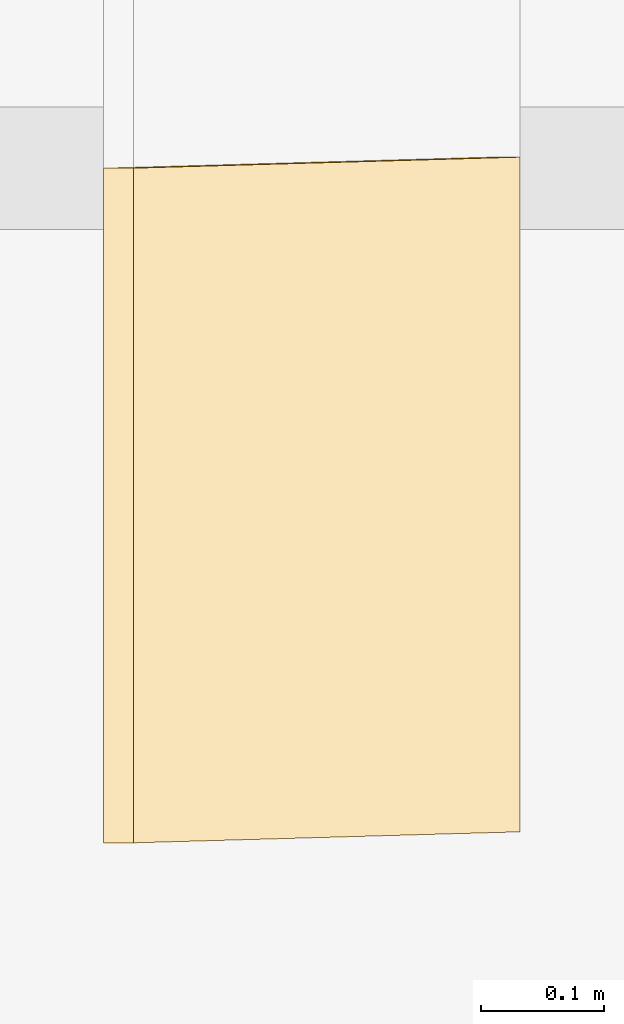
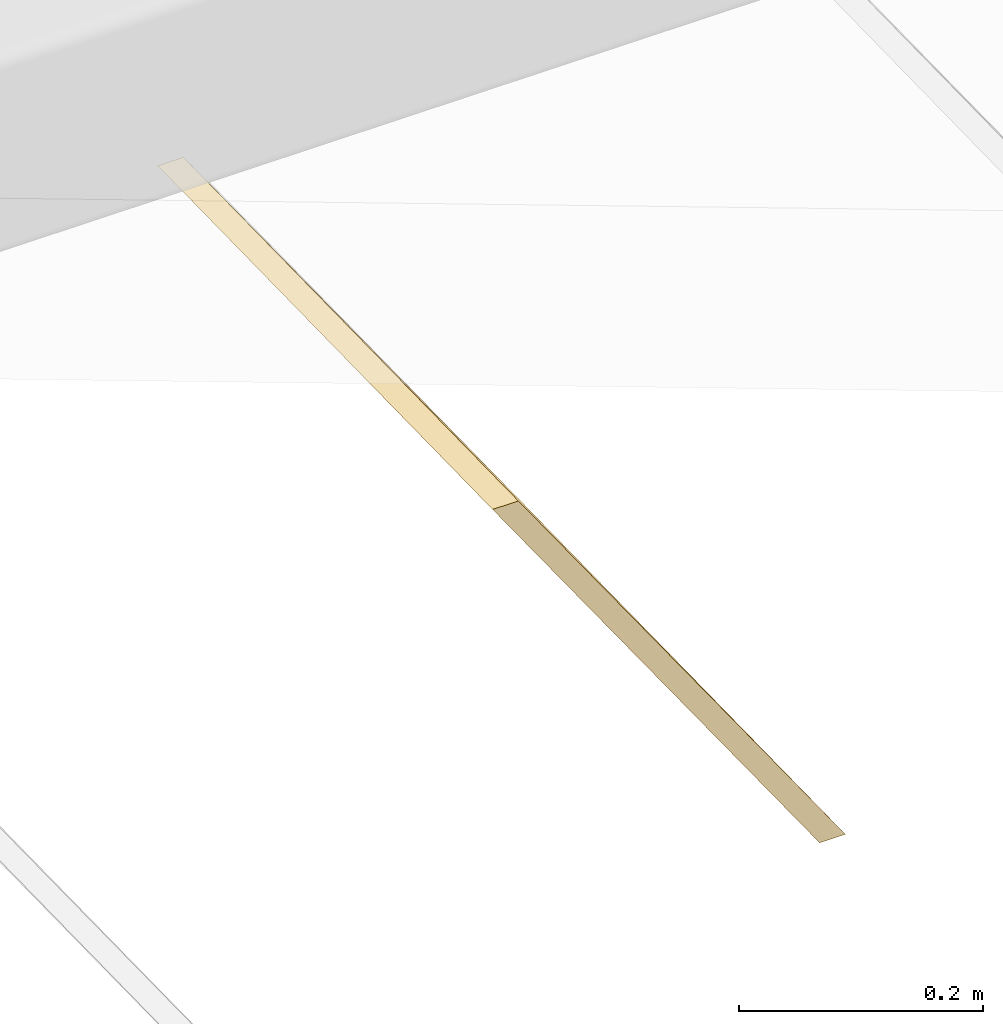
# One storey, part 129 of 129: 1 covering.
"""IFC4 building model written with IfcOpenShell, lengths in metres."""

from ifc_helpers import new_model, si_unit, direction, frame, origin, place, context, subcontext, project, spatial, polyline, outline, extrude, material, material_profile, profile_set, type_object, element, save


model = new_model("IFC4")

# Units and contexts
model_context = context("Model", 3, precision=1e-05, world=origin(), true_north=direction((0.0, 1.0)))
body_context = subcontext(model_context, "Body", "Model", "MODEL_VIEW")
ifc_project = project(units=[si_unit("LENGTHUNIT", "METRE"), si_unit("AREAUNIT", "SQUARE_METRE"), si_unit("VOLUMEUNIT", "CUBIC_METRE"), si_unit("PLANEANGLEUNIT", "RADIAN"), si_unit("MASSUNIT", "GRAM", prefix="KILO")], contexts=[model_context])

# Site, building, storey
site_placement = place(None, origin())
site = spatial("IfcSite", under=ifc_project, at=site_placement, CompositionType="ELEMENT")
building_placement = place(site_placement, origin())
building = spatial("IfcBuilding", under=site, at=building_placement, Name="Ardhachandra Cancer Care Centre", CompositionType="ELEMENT")
storey_placement = place(building_placement, frame((0.0, 0.0, 4.5)))
storey = spatial("IfcBuildingStorey", under=building, at=storey_placement, Name="L01", CompositionType="ELEMENT", Elevation=4.5)

# Covering
ifc_material = material(Name="Anodised aluminium", Category="aluminium")
ifc_material_profile = material_profile(ifc_material, outline(polyline([(-0.01220703125, 0.0), (0.01220703125, 0.0), (0.327392578125, -0.449951171875), (0.302978515625, -0.449951171875), (-0.01220703125, 0.0)])), Name="Louvre fin 450")
ifc_profile_set = profile_set([ifc_material_profile], Name="Anodised aluminium")
covering_type = type_object("IfcCoveringType", Name="Louvre fin 450", PredefinedType="CLADDING", material=ifc_profile_set)
covering_placement = place(storey_placement, frame((104.39990234375, 37.375, 2.407470703125), z_axis=(0.0, -0.99980059193, -0.019969385991), x_axis=(1.0, 0.0, 0.0)))
element("IfcCovering", 1, at=covering_placement, inside=storey, type_object=covering_type, Name="Louvre fin 100-7", PredefinedType="CLADDING", context=body_context, shape_type="SweptSolid", body=[
    extrude(outline(polyline([(-0.01220703125, 0.0), (0.01220703125, 0.0), (0.327392578125, -0.449951171875), (0.302978515625, -0.449951171875), (-0.01220703125, 0.0)])), origin(), (0.0, 0.0, 1.0), 0.550048828125),
])

save(model, "model.ifc")
